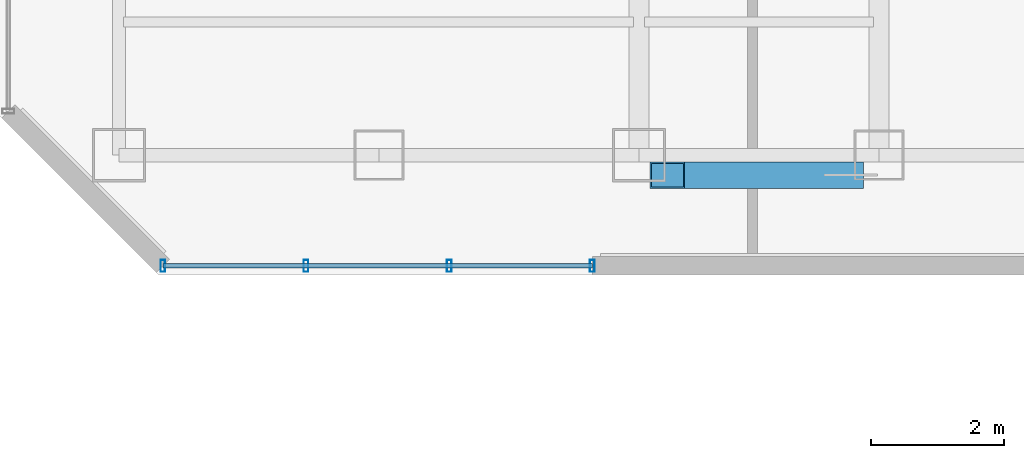
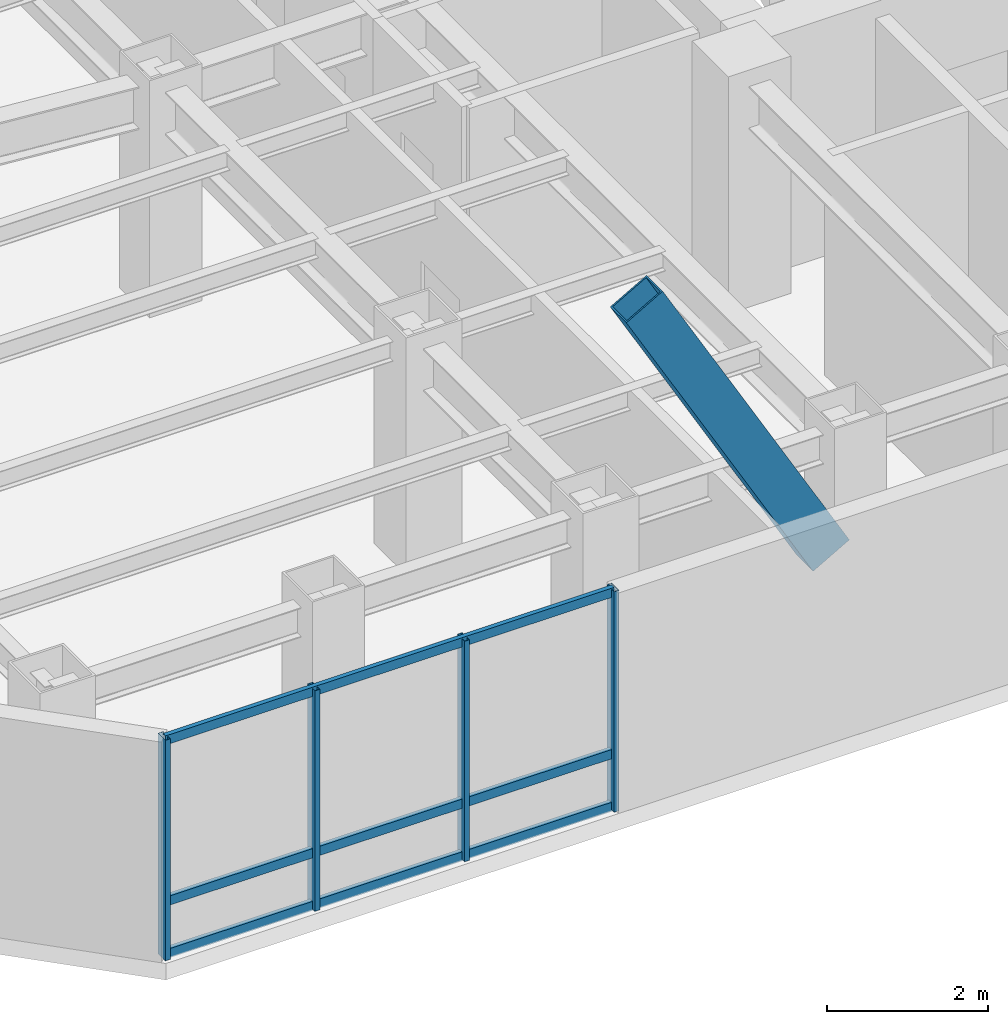
# One storey, part 2 of 28: 8 members, 1 element without a shape of its own.
"""IFC4 building model written with IfcOpenShell, lengths in metres."""

import ifcopenshell
import ifcopenshell.guid

model = None  # the IFC model being written
_history = None  # IfcOwnerHistory: only IFC2X3 demands one
_inside = {}  # id of a spatial element -> (the spatial element, [elements in it])
_under = {}  # id of a project, library or spatial element -> (it, [spatial elements below it])
_declared = {}  # id of a project -> (the project, [libraries it declares])
_typed = {}  # id of a type object -> (the type object, [elements of that type])
_made_of = {}  # id of a material, layer set ... -> (it, [elements and type objects made of it])


def new_model(schema):
    """Start an empty IFC model of exactly this schema.

    Asked for "IFC4X3", IfcOpenShell would pick the latest addendum, in which some entities
    have other attributes; the version numbers below select the first issue.
    IFC2X3 requires an IfcOwnerHistory on every rooted entity: one is made here for all.
    """
    global model, _history
    if schema == "IFC4X3":
        model = ifcopenshell.file(schema_version=(4, 3, 0, 0))
    else:
        model = ifcopenshell.file(schema=schema)
    _inside.clear()
    _under.clear()
    _declared.clear()
    _typed.clear()
    _made_of.clear()
    _history = None
    if model.schema == "IFC2X3":
        org = make("IfcOrganization", Name="unknown")
        user = make(
            "IfcPersonAndOrganization",
            ThePerson=make("IfcPerson", FamilyName="unknown"),
            TheOrganization=org,
        )
        app = make(
            "IfcApplication",
            ApplicationDeveloper=org,
            Version="unknown",
            ApplicationFullName="unknown",
            ApplicationIdentifier="unknown",
        )
        _history = make(
            "IfcOwnerHistory",
            OwningUser=user,
            OwningApplication=app,
            ChangeAction="ADDED",
            CreationDate=0,
        )
    return model


def make(cls, **values):
    """One entity of the class cls with the attributes given. An attribute that is None is left unset."""
    return model.create_entity(
        cls, **{name: value for name, value in values.items() if value is not None}
    )


def rooted(cls, **values):
    """An entity with a GlobalId (a new one), such as an element, a storey or a relation."""
    return make(cls, GlobalId=ifcopenshell.guid.new(), OwnerHistory=_history, **values)


def si_unit(unit_type, name, prefix=None):
    """IfcSIUnit, for example si_unit("LENGTHUNIT", "METRE", prefix="MILLI")."""
    return make("IfcSIUnit", UnitType=unit_type, Prefix=prefix, Name=name)


def assignment(units):
    """IfcUnitAssignment: the units of a project."""
    return None if units is None else make("IfcUnitAssignment", Units=units)


def point(xyz):
    """IfcCartesianPoint."""
    return None if xyz is None else make("IfcCartesianPoint", Coordinates=xyz)


def direction(xyz):
    """IfcDirection."""
    return None if xyz is None else make("IfcDirection", DirectionRatios=xyz)


def frame(location, z_axis=None, x_axis=None):
    """IfcAxis2Placement3D, a coordinate frame: its origin and axes. An axis left out is left unset."""
    return make(
        "IfcAxis2Placement3D",
        Location=point(location),
        Axis=direction(z_axis),
        RefDirection=direction(x_axis),
    )


def frame_2d(location, x_axis=None):
    """IfcAxis2Placement2D, a coordinate frame in the plane: its origin and x axis."""
    return make(
        "IfcAxis2Placement2D", Location=point(location), RefDirection=direction(x_axis)
    )


def origin():
    """The frame at (0, 0, 0) with its axes left unset."""
    return frame((0.0, 0.0, 0.0))


def origin_2d():
    """The frame at (0, 0) in the plane with its x axis left unset."""
    return frame_2d((0.0, 0.0))


def place(relative_to, where):
    """IfcLocalPlacement: puts the frame where relative to a parent placement (None: the world)."""
    return make(
        "IfcLocalPlacement", PlacementRelTo=relative_to, RelativePlacement=where
    )


def context(
    kind, dimensions, precision=None, world=None, true_north=None, identifier=None
):
    """IfcGeometricRepresentationContext, for example the 3D "Model" context."""
    return make(
        "IfcGeometricRepresentationContext",
        ContextIdentifier=identifier,
        ContextType=kind,
        CoordinateSpaceDimension=dimensions,
        Precision=precision,
        WorldCoordinateSystem=world,
        TrueNorth=true_north,
    )


def subcontext(parent, identifier, kind, view, scale=None):
    """IfcGeometricRepresentationSubContext, for example "Body" below "Model"."""
    return make(
        "IfcGeometricRepresentationSubContext",
        ContextIdentifier=identifier,
        ContextType=kind,
        ParentContext=parent,
        TargetScale=scale,
        TargetView=view,
    )


def project(units=None, contexts=None):
    """IfcProject with its units and contexts."""
    return rooted(
        "IfcProject",
        Name="project",
        RepresentationContexts=contexts,
        UnitsInContext=assignment(units),
    )


def spatial(cls, under=None, at=None, **own):
    """A site, building, storey or space (cls), placed at a placement, below another one or the project."""
    s = rooted(cls, ObjectPlacement=at, **own)
    if under is not None:
        _under.setdefault(under.id(), (under, []))[1].append(s)
    return s


def profile(cls, at=None, kind="AREA", **sizes):
    """A parametric profile (cls). Its sizes go by their IFC names, for example OverallWidth=200.0."""
    return make(cls, ProfileType=kind, Position=at, **sizes)


def hollow_rectangle(**sizes):
    """IfcRectangleHollowProfileDef."""
    return profile("IfcRectangleHollowProfileDef", **sizes)


def extrude(swept, where, along, depth):
    """IfcExtrudedAreaSolid: the profile swept, set in the frame where, extruded along a direction by depth."""
    return make(
        "IfcExtrudedAreaSolid",
        SweptArea=swept,
        Position=where,
        ExtrudedDirection=direction(along),
        Depth=depth,
    )


def shape(context_of_items, identifier, shape_type, items):
    """IfcShapeRepresentation: the items that make up one representation, for example the "Body"."""
    return make(
        "IfcShapeRepresentation",
        ContextOfItems=context_of_items,
        RepresentationIdentifier=identifier,
        RepresentationType=shape_type,
        Items=items,
    )


def material(Name=None, Category=None):
    """IfcMaterial."""
    return make("IfcMaterial", Name=Name, Category=Category)


def layer(
    of_material, thickness, ventilated=None, Name=None, Category=None, Priority=None
):
    """IfcMaterialLayer: one layer of a wall or slab, of a material (None: an air gap)."""
    return make(
        "IfcMaterialLayer",
        Material=of_material,
        LayerThickness=thickness,
        IsVentilated=ventilated,
        Name=Name,
        Category=Category,
        Priority=Priority,
    )


def layer_set(layers, Name=None):
    """IfcMaterialLayerSet."""
    return make("IfcMaterialLayerSet", MaterialLayers=layers, LayerSetName=Name)


def material_profile(
    of_material, cross_section, Name=None, Category=None, Priority=None
):
    """IfcMaterialProfile: a cross section and its material."""
    return make(
        "IfcMaterialProfile",
        Name=Name,
        Material=of_material,
        Profile=cross_section,
        Priority=Priority,
        Category=Category,
    )


def profile_set(profiles, Name=None, composite=None):
    """IfcMaterialProfileSet."""
    return make(
        "IfcMaterialProfileSet",
        Name=Name,
        MaterialProfiles=profiles,
        CompositeProfile=composite,
    )


def made_of(thing, what):
    """Note that an element or type object is made of a material, layer set ...; save() writes the relation."""
    if what is not None:
        _made_of.setdefault(what.id(), (what, []))[1].append(thing)
    return thing


def type_object(cls, material=None, **own):
    """A type object (cls), such as IfcWallType, which elements share."""
    return made_of(rooted(cls, **own), material)


def element(
    cls,
    number,
    at=None,
    inside=None,
    cuts=None,
    type_object=None,
    material=None,
    context=None,
    identifier="Body",
    shape_type=None,
    held_by="IfcProductDefinitionShape",
    body=None,
    shapes=None,
    **own,
):
    """One element of the class cls, such as IfcWall. Its Tag is "e" and its number.

    at: its placement. inside: the storey or other place that contains it. cuts: it is an
    opening in that element (IfcRelVoidsElement). A single representation is given by context,
    identifier, shape_type and body (its items); several are given by shapes. held_by: the class
    of the entity that holds the representations. save() writes the other relations.
    """
    e = rooted(cls, Tag="e%d" % number, ObjectPlacement=at, **own)
    if body is not None:
        shapes = [shape(context, identifier, shape_type, body)]
    if shapes is not None:
        e.Representation = make(held_by, Representations=shapes)
    if inside is not None:
        _inside.setdefault(inside.id(), (inside, []))[1].append(e)
    if cuts is not None:
        rooted(
            "IfcRelVoidsElement", RelatingBuildingElement=cuts, RelatedOpeningElement=e
        )
    if type_object is not None:
        _typed.setdefault(type_object.id(), (type_object, []))[1].append(e)
    return made_of(e, material)


def aggregate(whole, parts):
    """IfcRelAggregates: a whole, such as a stair, and the parts it consists of."""
    return rooted("IfcRelAggregates", RelatingObject=whole, RelatedObjects=parts)


def save(model, path):
    """Write the relations noted so far, then the file.

    IfcRelAggregates (storeys below a building ...), IfcRelContainedInSpatialStructure (elements
    in a storey), IfcRelDefinesByType, IfcRelAssociatesMaterial and IfcRelDeclares: one each for
    every whole, place, type object, material and project.
    """
    for whole, parts in _under.values():
        aggregate(whole, parts)
    for where, things in _inside.values():
        rooted(
            "IfcRelContainedInSpatialStructure",
            RelatedElements=things,
            RelatingStructure=where,
        )
    for kind, things in _typed.values():
        rooted("IfcRelDefinesByType", RelatedObjects=things, RelatingType=kind)
    for what, things in _made_of.values():
        rooted("IfcRelAssociatesMaterial", RelatedObjects=things, RelatingMaterial=what)
    for by, libraries in _declared.values():
        rooted("IfcRelDeclares", RelatingContext=by, RelatedDefinitions=libraries)
    model.write(path)


model = new_model("IFC4")

# Units and contexts
model_context = context("Model", 3, precision=1e-05, world=origin(), true_north=direction((0.0, 1.0)))
body_context = subcontext(model_context, "Body", "Model", "MODEL_VIEW")
ifc_project = project(units=[si_unit("LENGTHUNIT", "METRE"), si_unit("AREAUNIT", "SQUARE_METRE"), si_unit("VOLUMEUNIT", "CUBIC_METRE"), si_unit("PLANEANGLEUNIT", "RADIAN"), si_unit("MASSUNIT", "GRAM", prefix="KILO")], contexts=[model_context])

# Site, building, storey
site_placement = place(None, origin())
site = spatial("IfcSite", under=ifc_project, at=site_placement, CompositionType="ELEMENT")
building_placement = place(site_placement, origin())
building = spatial("IfcBuilding", under=site, at=building_placement, Name="Hatsunagi Terrace Concourse", CompositionType="ELEMENT")
storey_placement = place(building_placement, frame((0.0, 0.0, 170.85009765625)))
storey = spatial("IfcBuildingStorey", under=building, at=storey_placement, Name="L45", CompositionType="ELEMENT", Elevation=170.85009765625)

# Curtain wall, members
ifc_material_1 = material(Name="Anodised Aluminium Alloy 6063-T5", Category="aluminium")
ifc_layer = layer(ifc_material_1, 0.199951171875)
ifc_layer_set = layer_set([ifc_layer], Name="OfficeZone1_CW03")
curtain_wall_type = type_object("IfcCurtainWallType", Name="OfficeZone1_CW03", PredefinedType="NOTDEFINED", material=ifc_layer_set)
curtain_wall_placement = place(storey_placement, origin())
curtain_wall = element("IfcCurtainWall", 1, at=curtain_wall_placement, inside=storey, type_object=curtain_wall_type, Name="Unitised Curtain Wall CW-03 CW-L45-07", PredefinedType="NOTDEFINED")
ifc_material_2 = material(Name="Anodised Aluminium Alloy 6063-T5", Category="aluminium")
ifc_material_profile_1 = material_profile(ifc_material_2, hollow_rectangle(XDim=0.070068359375, YDim=0.179931640625, WallThickness=0.00390625, at=origin_2d()), Name="ALU-MUL-180x70x4")
ifc_profile_set_1 = profile_set([ifc_material_profile_1], Name="Anodised Aluminium Alloy 6063-T5")
member_type_1 = type_object("IfcMemberType", Name="CurtainWallMullion_180x70", PredefinedType="MULLION", material=ifc_profile_set_1)
member_1_placement = place(storey_placement, frame((18.5, 23.5400390625, 0.0), z_axis=(0.0, 0.0, 1.0), x_axis=(-1.0, 0.0, 0.0)))
member_1 = element("IfcMember", 2, at=member_1_placement, type_object=member_type_1, Name="Curtain Wall Mullion MUL-02", PredefinedType="MULLION", context=body_context, shape_type="SweptSolid", body=[
    extrude(hollow_rectangle(XDim=0.070068359375, YDim=0.179931640625, WallThickness=0.00390625, at=origin_2d()), origin(), (0.0, 0.0, 1.0), 3.349853515625),
])
member_2_placement = place(storey_placement, frame((16.35302734375, 23.5400390625, 0.0), z_axis=(0.0, 0.0, 1.0), x_axis=(-1.0, 0.0, 0.0)))
member_2 = element("IfcMember", 3, at=member_2_placement, type_object=member_type_1, Name="Curtain Wall Mullion MUL-02", PredefinedType="MULLION", context=body_context, shape_type="SweptSolid", body=[
    extrude(hollow_rectangle(XDim=0.070068359375, YDim=0.179931640625, WallThickness=0.00390625, at=origin_2d()), origin(), (0.0, 0.0, 1.0), 3.349853515625),
])
member_3_placement = place(storey_placement, frame((14.205078125, 23.5400390625, 0.0), z_axis=(0.0, 0.0, 1.0), x_axis=(-1.0, 0.0, 0.0)))
member_3 = element("IfcMember", 4, at=member_3_placement, type_object=member_type_1, Name="Curtain Wall Mullion MUL-02", PredefinedType="MULLION", context=body_context, shape_type="SweptSolid", body=[
    extrude(hollow_rectangle(XDim=0.070068359375, YDim=0.179931640625, WallThickness=0.00390625, at=origin_2d()), origin(), (0.0, 0.0, 1.0), 3.349853515625),
])
member_4_placement = place(storey_placement, frame((12.05810546875, 23.5400390625, 0.0), z_axis=(0.0, 0.0, 1.0), x_axis=(-1.0, 0.0, 0.0)))
member_4 = element("IfcMember", 5, at=member_4_placement, type_object=member_type_1, Name="Curtain Wall Mullion MUL-02", PredefinedType="MULLION", context=body_context, shape_type="SweptSolid", body=[
    extrude(hollow_rectangle(XDim=0.070068359375, YDim=0.179931640625, WallThickness=0.00390625, at=origin_2d()), origin(), (0.0, 0.0, 1.0), 3.349853515625),
])
ifc_material_3 = material(Name="Anodised Aluminium Alloy 6063-T5", Category="aluminium")
ifc_material_profile_2 = material_profile(ifc_material_3, hollow_rectangle(XDim=0.06494140625, YDim=0.139892578125, WallThickness=0.00390625, at=origin_2d()), Name="ALU-TRN-140x65x4")
ifc_profile_set_2 = profile_set([ifc_material_profile_2], Name="Anodised Aluminium Alloy 6063-T5")
member_type_2 = type_object("IfcMemberType", Name="CurtainWallTransom_140x65", PredefinedType="USERDEFINED", material=ifc_profile_set_2)
member_5_placement = place(storey_placement, frame((18.5, 23.5400390625, 0.0498046875), z_axis=(-1.0, 0.0, 0.0), x_axis=(0.0, -1.0, 0.0)))
member_5 = element("IfcMember", 6, at=member_5_placement, type_object=member_type_2, Name="Curtain Wall Transom TRN-02", ObjectType="TRANSOM", PredefinedType="USERDEFINED", context=body_context, shape_type="SweptSolid", body=[
    extrude(hollow_rectangle(XDim=0.06494140625, YDim=0.139892578125, WallThickness=0.00390625, at=origin_2d()), origin(), (0.0, 0.0, 1.0), 6.44189453125),
])
member_6_placement = place(storey_placement, frame((18.5, 23.5400390625, 0.849853515625), z_axis=(-1.0, 0.0, 0.0), x_axis=(0.0, -1.0, 0.0)))
member_6 = element("IfcMember", 7, at=member_6_placement, type_object=member_type_2, Name="Curtain Wall Transom TRN-02", ObjectType="TRANSOM", PredefinedType="USERDEFINED", context=body_context, shape_type="SweptSolid", body=[
    extrude(hollow_rectangle(XDim=0.06494140625, YDim=0.139892578125, WallThickness=0.00390625, at=origin_2d()), origin(), (0.0, 0.0, 1.0), 6.44189453125),
])
member_7_placement = place(storey_placement, frame((18.5, 23.5400390625, 3.2998046875), z_axis=(-1.0, 0.0, 0.0), x_axis=(0.0, -1.0, 0.0)))
member_7 = element("IfcMember", 8, at=member_7_placement, type_object=member_type_2, Name="Curtain Wall Transom TRN-02", ObjectType="TRANSOM", PredefinedType="USERDEFINED", context=body_context, shape_type="SweptSolid", body=[
    extrude(hollow_rectangle(XDim=0.06494140625, YDim=0.139892578125, WallThickness=0.00390625, at=origin_2d()), origin(), (0.0, 0.0, 1.0), 6.44189453125),
])
aggregate(curtain_wall, [member_1, member_2, member_3, member_4, member_5, member_6, member_7])

# Member
ifc_material_4 = material(Name="Steel SN490B", Category="steel")
ifc_material_profile_3 = material_profile(ifc_material_4, hollow_rectangle(XDim=0.39990234375, YDim=0.60009765625, WallThickness=0.02490234375, at=origin_2d()), Name="RHS-600x400x25")
ifc_profile_set_3 = profile_set([ifc_material_profile_3], Name="Steel SN490B")
member_type_3 = type_object("IfcMemberType", Name="PerimeterXBrace_Mid_RHS_600x400x25", PredefinedType="BRACE", material=ifc_profile_set_3)
member_8_placement = place(storey_placement, frame((19.625, 24.89990234375, 6.510009765625), z_axis=(0.494426308066, 0.0, -0.869219549879), x_axis=(0.0, 1.0, 0.0)))
element("IfcMember", 9, at=member_8_placement, inside=storey, type_object=member_type_3, Name="Perimeter X-Brace Split Upper XB-02 XB-L44-W1B1", PredefinedType="BRACE", context=body_context, shape_type="SweptSolid", body=[
    extrude(hollow_rectangle(XDim=0.39990234375, YDim=0.60009765625, WallThickness=0.02490234375, at=origin_2d()), origin(), (0.0, 0.0, 1.0), 5.42236328125),
])

save(model, "model.ifc")
